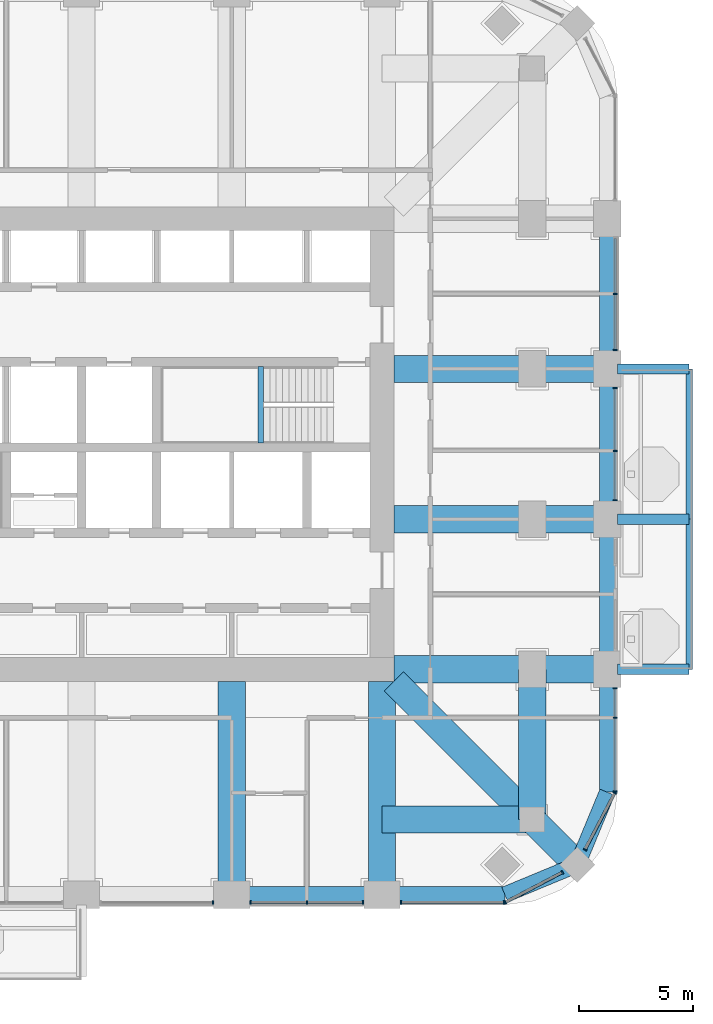
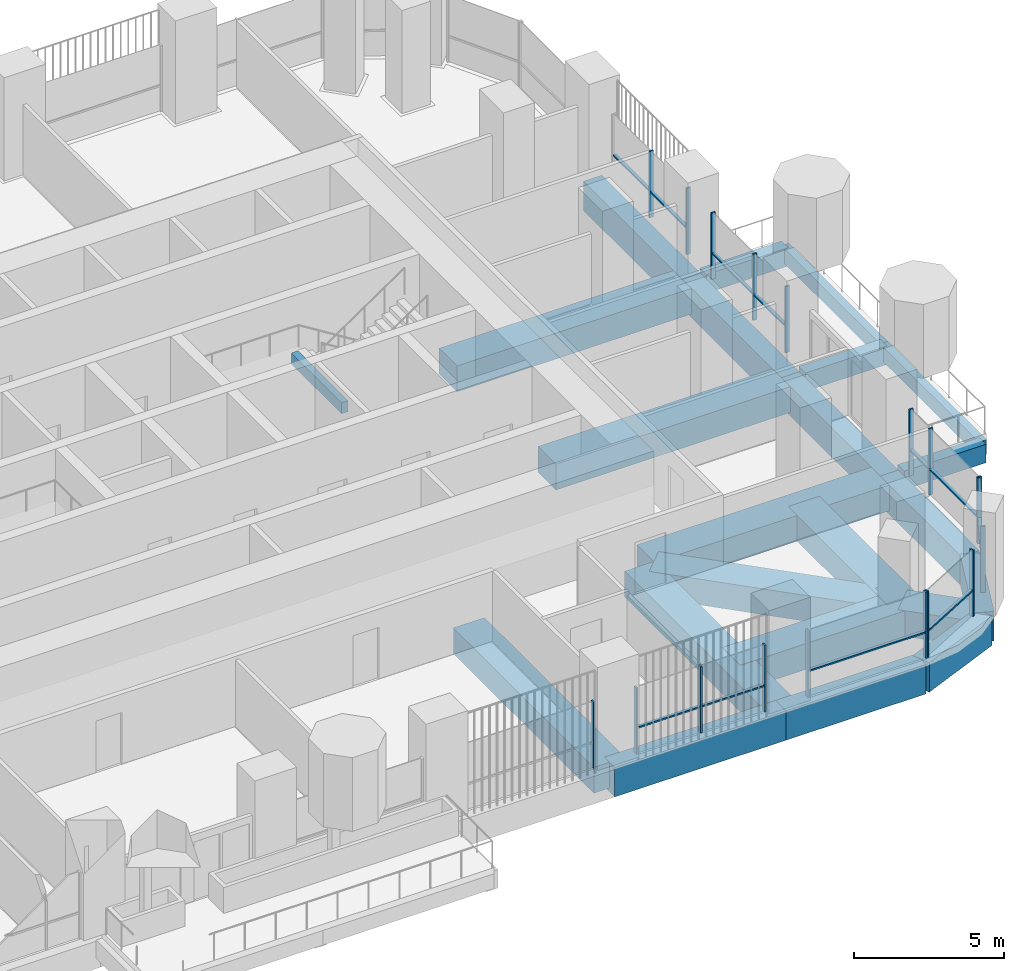
# One storey, part 5 of 20: 29 members, 23 beams, 8 elements without a shape of their own.
"""IFC4 building model written with IfcOpenShell, lengths in metres."""

from ifc_helpers import new_model, si_unit, direction, frame, origin, origin_2d, place, context, subcontext, project, spatial, rectangle, extrude, material, material_profile, profile_set, type_object, element, aggregate, save


model = new_model("IFC4")

# Units and contexts
model_context = context("Model", 3, precision=1e-05, world=origin(), true_north=direction((0.0, 1.0)))
body_context = subcontext(model_context, "Body", "Model", "MODEL_VIEW")
ifc_project = project(units=[si_unit("LENGTHUNIT", "METRE"), si_unit("AREAUNIT", "SQUARE_METRE"), si_unit("VOLUMEUNIT", "CUBIC_METRE"), si_unit("PLANEANGLEUNIT", "RADIAN"), si_unit("MASSUNIT", "GRAM", prefix="KILO")], contexts=[model_context])

# Site, building, storey
site_placement = place(None, origin())
site = spatial("IfcSite", under=ifc_project, at=site_placement, CompositionType="ELEMENT")
building_placement = place(site_placement, origin())
building = spatial("IfcBuilding", under=site, at=building_placement, Name="Cobogo Forest Laboratory Tower", CompositionType="ELEMENT")
storey_placement = place(building_placement, frame((0.0, 0.0, 176.699951171875)))
storey = spatial("IfcBuildingStorey", under=building, at=storey_placement, Name="L40", CompositionType="ELEMENT", Elevation=176.699951171875)

# Beams
ifc_material_1 = material(Name="Concrete HA-40 (C40/50)", Category="concrete")
ifc_material_profile_1 = material_profile(ifc_material_1, rectangle(XDim=0.449951171875, YDim=0.75, at=origin_2d()), Name="RC 450x750")
ifc_profile_set_1 = profile_set([ifc_material_profile_1], Name="Concrete HA-40 (C40/50)")
beam_type_1 = type_object("IfcBeamType", Name="Balcony cantilever beam 450x750", PredefinedType="BEAM", material=ifc_profile_set_1)
for number, where, z_axis, x_axis, name in (
    (1, (49.949951171875, 13.199951171875, -0.625), (1.0, 0.0, 0.0), (0.0, 1.0, 0.0), "CB1 BAL-E1-C1 L40"),
    (2, (49.949951171875, 19.800048828125, -0.625), (1.0, 0.0, 0.0), (0.0, 1.0, 0.0), "CB1 BAL-E1-C2 L40"),
    (3, (49.949951171875, 26.39990234375, -0.625), (1.0, 0.0, 0.0), (0.0, 1.0, 0.0), "CB1 BAL-E1-C3 L40"),
):
    element("IfcBeam", number, at=place(storey_placement, frame(where, z_axis=z_axis, x_axis=x_axis)), inside=storey, type_object=beam_type_1, Name=name, PredefinedType="BEAM", context=body_context, shape_type="SweptSolid", body=[
        extrude(rectangle(XDim=0.449951171875, YDim=0.75, at=origin_2d()), origin(), (0.0, 0.0, 1.0), 3.150146484375),
    ])
ifc_material_profile_2 = material_profile(ifc_material_1, rectangle(XDim=0.300048828125, YDim=0.60009765625, at=origin_2d()), Name="RC 300x600")
ifc_profile_set_2 = profile_set([ifc_material_profile_2], Name="Concrete HA-40 (C40/50)")
beam_type_2 = type_object("IfcBeamType", Name="Balcony edge beam 300x600", PredefinedType="BEAM", material=ifc_profile_set_2)
beam_1_placement = place(storey_placement, frame((53.10009765625, 13.199951171875, -0.550048828125), z_axis=(0.0, 1.0, 0.0), x_axis=(-1.0, 0.0, 0.0)))
element("IfcBeam", 4, at=beam_1_placement, inside=storey, type_object=beam_type_2, Name="BB1 BAL-E1-T1 L40", PredefinedType="BEAM", context=body_context, shape_type="SweptSolid", body=[
    extrude(rectangle(XDim=0.300048828125, YDim=0.60009765625, at=origin_2d()), origin(), (0.0, 0.0, 1.0), 6.60009765625),
])
beam_2_placement = place(storey_placement, frame((53.10009765625, 19.800048828125, -0.550048828125), z_axis=(0.0, 1.0, 0.0), x_axis=(-1.0, 0.0, 0.0)))
element("IfcBeam", 5, at=beam_2_placement, inside=storey, type_object=beam_type_2, Name="BB1 BAL-E1-T2 L40", PredefinedType="BEAM", context=body_context, shape_type="SweptSolid", body=[
    extrude(rectangle(XDim=0.300048828125, YDim=0.60009765625, at=origin_2d()), origin(), (0.0, 0.0, 1.0), 6.599853515625),
])
ifc_material_profile_3 = material_profile(ifc_material_1, rectangle(XDim=0.25, YDim=0.449951171875, at=origin_2d()), Name="RC 250x450")
ifc_profile_set_3 = profile_set([ifc_material_profile_3], Name="Concrete HA-40 (C40/50)")
beam_type_3 = type_object("IfcBeamType", Name="LB1 landing beam 250x450", PredefinedType="BEAM", material=ifc_profile_set_3)
beam_3_placement = place(storey_placement, frame((34.27001953125, 23.14990234375, 1.675048828125), z_axis=(0.0, 1.0, 0.0), x_axis=(-1.0, 0.0, 0.0)))
element("IfcBeam", 6, at=beam_3_placement, inside=storey, type_object=beam_type_3, Name="Landing beam ST2 L40", PredefinedType="BEAM", context=body_context, shape_type="SweptSolid", body=[
    extrude(rectangle(XDim=0.25, YDim=0.449951171875, at=origin_2d()), origin(), (0.0, 0.0, 1.0), 3.35009765625),
])
ifc_material_profile_4 = material_profile(ifc_material_1, rectangle(XDim=1.199951171875, YDim=1.050048828125, at=origin_2d()), Name="RC 1200x1050")
ifc_profile_set_4 = profile_set([ifc_material_profile_4], Name="Concrete HA-40 (C40/50)")
beam_type_4 = type_object("IfcBeamType", Name="Laboratory floor wide beam 1200x1050", PredefinedType="BEAM", material=ifc_profile_set_4)
for number, where, z_axis, x_axis, name in (
    (7, (33.0, 12.675048828125, -0.824951171875), (0.0, -1.0, 0.0), (1.0, 0.0, 0.0), "RB1 R-6-S L40"),
    (8, (39.60009765625, 12.675048828125, -0.824951171875), (0.0, -1.0, 0.0), (1.0, 0.0, 0.0), "RB1 R-7-S L40"),
    (9, (40.125, 13.199951171875, -0.824951171875), (1.0, 0.0, 0.0), (0.0, 1.0, 0.0), "RB1 R-C-E L40"),
    (10, (40.125, 19.800048828125, -0.824951171875), (1.0, 0.0, 0.0), (0.0, 1.0, 0.0), "RB1 R-D-E L40"),
    (11, (40.125, 26.39990234375, -0.824951171875), (1.0, 0.0, 0.0), (0.0, 1.0, 0.0), "RB1 R-E-E L40"),
):
    element("IfcBeam", number, at=place(storey_placement, frame(where, z_axis=z_axis, x_axis=x_axis)), inside=storey, type_object=beam_type_4, Name=name, PredefinedType="BEAM", context=body_context, shape_type="SweptSolid", body=[
        extrude(rectangle(XDim=1.199951171875, YDim=1.050048828125, at=origin_2d()), origin(), (0.0, 0.0, 1.0), 9.375),
    ])
for number, where, z_axis, x_axis, name in (
    (12, (46.199951171875, 6.60009765625, -0.824951171875), (0.0, 1.0, 0.0), (-1.0, 0.0, 0.0), "RB1 G-SE-XC L40"),
    (13, (46.199951171875, 6.60009765625, -0.824951171875), (-1.0, 0.0, 0.0), (0.0, -1.0, 0.0), "RB1 G-SE-YC L40"),
):
    element("IfcBeam", number, at=place(storey_placement, frame(where, z_axis=z_axis, x_axis=x_axis)), inside=storey, type_object=beam_type_4, Name=name, PredefinedType="BEAM", context=body_context, shape_type="SweptSolid", body=[
        extrude(rectangle(XDim=1.199951171875, YDim=1.050048828125, at=origin_2d()), origin(), (0.0, 0.0, 1.0), 6.599853515625),
    ])
beam_4_placement = place(storey_placement, frame((48.181884765625, 4.617919921875, -0.824951171875), z_axis=(-0.707063230743, 0.707150328948, 0.0), x_axis=(-0.707150328948, -0.707063230743, 0.0)))
element("IfcBeam", 14, at=beam_4_placement, inside=storey, type_object=beam_type_4, Name="RB1 G-SE-D1 L40", PredefinedType="BEAM", context=body_context, shape_type="SweptSolid", body=[
    extrude(rectangle(XDim=1.199951171875, YDim=1.050048828125, at=origin_2d()), origin(), (0.0, 0.0, 1.0), 2.802978515625),
])
beam_5_placement = place(storey_placement, frame((46.199951171875, 6.60009765625, -0.824951171875), z_axis=(-0.707106781187, 0.707106781187, 0.0), x_axis=(-0.707106781187, -0.707106781187, 0.0)))
element("IfcBeam", 15, at=beam_5_placement, inside=storey, type_object=beam_type_4, Name="RB1 G-SE-D2 L40", PredefinedType="BEAM", context=body_context, shape_type="SweptSolid", body=[
    extrude(rectangle(XDim=1.199951171875, YDim=1.050048828125, at=origin_2d()), origin(), (0.0, 0.0, 1.0), 8.59130859375),
])

# Curtain wall, member
ifc_material_2 = material(Name="Aluminium curtain wall", Category="aluminium")
curtain_wall_type = type_object("IfcCurtainWallType", Name="CW-2 unitised curtain wall, solar control glazing, laboratory floors zones C and D", PredefinedType="USERDEFINED", material=ifc_material_2)
curtain_wall_1_placement = place(storey_placement, origin())
curtain_wall_1 = element("IfcCurtainWall", 16, at=curtain_wall_1_placement, inside=storey, type_object=curtain_wall_type, Name="Curtain wall 04 L40", ObjectType="UNITISED CURTAIN WALL", PredefinedType="USERDEFINED")
ifc_material_3 = material(Name="Aluminium mullion", Category="aluminium")
ifc_material_profile_5 = material_profile(ifc_material_3, rectangle(XDim=0.06005859375, YDim=0.159912109375, at=origin_2d()), Name="AL 60x160")
ifc_profile_set_5 = profile_set([ifc_material_profile_5], Name="Aluminium mullion")
member_type_1 = type_object("IfcMemberType", Name="MU-1 aluminium mullion 60x160", PredefinedType="MULLION", material=ifc_profile_set_5)
member_1_placement = place(storey_placement, frame((32.169921875, 2.949951171875, 0.0), z_axis=(0.0, 0.0, 1.0), x_axis=(1.0, 0.0, 0.0)))
member_1 = element("IfcMember", 17, at=member_1_placement, type_object=member_type_1, Name="CW-2 mullion 2", PredefinedType="MULLION", context=body_context, shape_type="SweptSolid", body=[
    extrude(rectangle(XDim=0.06005859375, YDim=0.159912109375, at=origin_2d()), origin(), (0.0, 0.0, 1.0), 2.699951171875),
])
aggregate(curtain_wall_1, [member_1])

# Curtain wall, members
curtain_wall_2_placement = place(storey_placement, origin())
curtain_wall_2 = element("IfcCurtainWall", 18, at=curtain_wall_2_placement, inside=storey, type_object=curtain_wall_type, Name="Curtain wall 05 L40", ObjectType="UNITISED CURTAIN WALL", PredefinedType="USERDEFINED")
member_2_placement = place(storey_placement, frame((33.830078125, 2.949951171875, 0.0), z_axis=(0.0, 0.0, 1.0), x_axis=(1.0, 0.0, 0.0)))
member_2 = element("IfcMember", 19, at=member_2_placement, type_object=member_type_1, Name="CW-2 mullion 1", PredefinedType="MULLION", context=body_context, shape_type="SweptSolid", body=[
    extrude(rectangle(XDim=0.06005859375, YDim=0.159912109375, at=origin_2d()), origin(), (0.0, 0.0, 1.0), 2.699951171875),
])
member_3_placement = place(storey_placement, frame((36.300048828125, 2.949951171875, 0.0), z_axis=(0.0, 0.0, 1.0), x_axis=(1.0, 0.0, 0.0)))
member_3 = element("IfcMember", 20, at=member_3_placement, type_object=member_type_1, Name="CW-2 mullion 2", PredefinedType="MULLION", context=body_context, shape_type="SweptSolid", body=[
    extrude(rectangle(XDim=0.06005859375, YDim=0.159912109375, at=origin_2d()), origin(), (0.0, 0.0, 1.0), 2.699951171875),
])
member_4_placement = place(storey_placement, frame((38.77001953125, 2.949951171875, 0.0), z_axis=(0.0, 0.0, 1.0), x_axis=(1.0, 0.0, 0.0)))
member_4 = element("IfcMember", 21, at=member_4_placement, type_object=member_type_1, Name="CW-2 mullion 3", PredefinedType="MULLION", context=body_context, shape_type="SweptSolid", body=[
    extrude(rectangle(XDim=0.06005859375, YDim=0.159912109375, at=origin_2d()), origin(), (0.0, 0.0, 1.0), 2.699951171875),
])

curtain_wall_3_placement = place(storey_placement, origin())
curtain_wall_3 = element("IfcCurtainWall", 22, at=curtain_wall_3_placement, inside=storey, type_object=curtain_wall_type, Name="Curtain wall 06 L40", ObjectType="UNITISED CURTAIN WALL", PredefinedType="USERDEFINED")
member_5_placement = place(storey_placement, frame((40.429931640625, 2.949951171875, 0.0), z_axis=(0.0, 0.0, 1.0), x_axis=(1.0, 0.0, 0.0)))
member_5 = element("IfcMember", 23, at=member_5_placement, type_object=member_type_1, Name="CW-2 mullion 1", PredefinedType="MULLION", context=body_context, shape_type="SweptSolid", body=[
    extrude(rectangle(XDim=0.06005859375, YDim=0.159912109375, at=origin_2d()), origin(), (0.0, 0.0, 1.0), 2.699951171875),
])
member_6_placement = place(storey_placement, frame((44.969970703125, 2.949951171875, 0.0), z_axis=(0.0, 0.0, 1.0), x_axis=(1.0, 0.0, 0.0)))
member_6 = element("IfcMember", 24, at=member_6_placement, type_object=member_type_1, Name="CW-2 mullion 2", PredefinedType="MULLION", context=body_context, shape_type="SweptSolid", body=[
    extrude(rectangle(XDim=0.06005859375, YDim=0.159912109375, at=origin_2d()), origin(), (0.0, 0.0, 1.0), 2.699951171875),
])

curtain_wall_4_placement = place(storey_placement, origin())
curtain_wall_4 = element("IfcCurtainWall", 25, at=curtain_wall_4_placement, inside=storey, type_object=curtain_wall_type, Name="Curtain wall 07 L40", ObjectType="UNITISED CURTAIN WALL", PredefinedType="USERDEFINED")
member_7_placement = place(storey_placement, frame((45.026611328125, 2.9638671875, 0.0), z_axis=(0.0, 0.0, 1.0), x_axis=(0.885686484356, 0.464283804832, 0.0)))
member_7 = element("IfcMember", 26, at=member_7_placement, type_object=member_type_1, Name="CW-2 mullion 1", PredefinedType="MULLION", context=body_context, shape_type="SweptSolid", body=[
    extrude(rectangle(XDim=0.06005859375, YDim=0.159912109375, at=origin_2d()), origin(), (0.0, 0.0, 1.0), 2.699951171875),
])
member_8_placement = place(storey_placement, frame((47.5244140625, 4.2734375, 0.0), z_axis=(0.0, 0.0, 1.0), x_axis=(0.885686484356, 0.464283804832, 0.0)))
member_8 = element("IfcMember", 27, at=member_8_placement, type_object=member_type_1, Name="CW-2 mullion 2", PredefinedType="MULLION", context=body_context, shape_type="SweptSolid", body=[
    extrude(rectangle(XDim=0.06005859375, YDim=0.159912109375, at=origin_2d()), origin(), (0.0, 0.0, 1.0), 2.699951171875),
])

curtain_wall_5_placement = place(storey_placement, origin())
curtain_wall_5 = element("IfcCurtainWall", 28, at=curtain_wall_5_placement, inside=storey, type_object=curtain_wall_type, Name="Curtain wall 08 L40", ObjectType="UNITISED CURTAIN WALL", PredefinedType="USERDEFINED")
member_9_placement = place(storey_placement, frame((48.526611328125, 5.275634765625, 0.0), z_axis=(0.0, 0.0, 1.0), x_axis=(0.464283804832, 0.885686484356, 0.0)))
member_9 = element("IfcMember", 29, at=member_9_placement, type_object=member_type_1, Name="CW-2 mullion 1", PredefinedType="MULLION", context=body_context, shape_type="SweptSolid", body=[
    extrude(rectangle(XDim=0.06005859375, YDim=0.159912109375, at=origin_2d()), origin(), (0.0, 0.0, 1.0), 2.699951171875),
])
member_10_placement = place(storey_placement, frame((49.836181640625, 7.7734375, 0.0), z_axis=(0.0, 0.0, 1.0), x_axis=(0.464283804832, 0.885686484356, 0.0)))
member_10 = element("IfcMember", 30, at=member_10_placement, type_object=member_type_1, Name="CW-2 mullion 2", PredefinedType="MULLION", context=body_context, shape_type="SweptSolid", body=[
    extrude(rectangle(XDim=0.06005859375, YDim=0.159912109375, at=origin_2d()), origin(), (0.0, 0.0, 1.0), 2.699951171875),
])

curtain_wall_6_placement = place(storey_placement, origin())
curtain_wall_6 = element("IfcCurtainWall", 31, at=curtain_wall_6_placement, inside=storey, type_object=curtain_wall_type, Name="Curtain wall 09 L40", ObjectType="UNITISED CURTAIN WALL", PredefinedType="USERDEFINED")
member_11_placement = place(storey_placement, frame((49.85009765625, 7.830078125, 0.0), z_axis=(0.0, 0.0, 1.0), x_axis=(0.0, 1.0, 0.0)))
member_11 = element("IfcMember", 32, at=member_11_placement, type_object=member_type_1, Name="CW-2 mullion 1", PredefinedType="MULLION", context=body_context, shape_type="SweptSolid", body=[
    extrude(rectangle(XDim=0.06005859375, YDim=0.159912109375, at=origin_2d()), origin(), (0.0, 0.0, 1.0), 2.699951171875),
])
member_12_placement = place(storey_placement, frame((49.85009765625, 11.074951171875, 0.0), z_axis=(0.0, 0.0, 1.0), x_axis=(0.0, 1.0, 0.0)))
member_12 = element("IfcMember", 33, at=member_12_placement, type_object=member_type_1, Name="CW-2 mullion 2", PredefinedType="MULLION", context=body_context, shape_type="SweptSolid", body=[
    extrude(rectangle(XDim=0.06005859375, YDim=0.159912109375, at=origin_2d()), origin(), (0.0, 0.0, 1.0), 2.699951171875),
])
member_13_placement = place(storey_placement, frame((49.85009765625, 12.3701171875, 0.0), z_axis=(0.0, 0.0, 1.0), x_axis=(0.0, 1.0, 0.0)))
member_13 = element("IfcMember", 34, at=member_13_placement, type_object=member_type_1, Name="CW-2 mullion 3", PredefinedType="MULLION", context=body_context, shape_type="SweptSolid", body=[
    extrude(rectangle(XDim=0.06005859375, YDim=0.159912109375, at=origin_2d()), origin(), (0.0, 0.0, 1.0), 2.699951171875),
])

curtain_wall_7_placement = place(storey_placement, origin())
curtain_wall_7 = element("IfcCurtainWall", 35, at=curtain_wall_7_placement, inside=storey, type_object=curtain_wall_type, Name="Curtain wall 11 L40", ObjectType="UNITISED CURTAIN WALL", PredefinedType="USERDEFINED")
member_14_placement = place(storey_placement, frame((49.85009765625, 20.6298828125, 0.0), z_axis=(0.0, 0.0, 1.0), x_axis=(0.0, 1.0, 0.0)))
member_14 = element("IfcMember", 36, at=member_14_placement, type_object=member_type_1, Name="CW-2 mullion 1", PredefinedType="MULLION", context=body_context, shape_type="SweptSolid", body=[
    extrude(rectangle(XDim=0.06005859375, YDim=0.159912109375, at=origin_2d()), origin(), (0.0, 0.0, 1.0), 2.699951171875),
])
member_15_placement = place(storey_placement, frame((49.85009765625, 22.800048828125, 0.0), z_axis=(0.0, 0.0, 1.0), x_axis=(0.0, 1.0, 0.0)))
member_15 = element("IfcMember", 37, at=member_15_placement, type_object=member_type_1, Name="CW-2 mullion 2", PredefinedType="MULLION", context=body_context, shape_type="SweptSolid", body=[
    extrude(rectangle(XDim=0.06005859375, YDim=0.159912109375, at=origin_2d()), origin(), (0.0, 0.0, 1.0), 2.699951171875),
])
member_16_placement = place(storey_placement, frame((49.85009765625, 25.570068359375, 0.0), z_axis=(0.0, 0.0, 1.0), x_axis=(0.0, 1.0, 0.0)))
member_16 = element("IfcMember", 38, at=member_16_placement, type_object=member_type_1, Name="CW-2 mullion 3", PredefinedType="MULLION", context=body_context, shape_type="SweptSolid", body=[
    extrude(rectangle(XDim=0.06005859375, YDim=0.159912109375, at=origin_2d()), origin(), (0.0, 0.0, 1.0), 2.699951171875),
])

curtain_wall_8_placement = place(storey_placement, origin())
curtain_wall_8 = element("IfcCurtainWall", 39, at=curtain_wall_8_placement, inside=storey, type_object=curtain_wall_type, Name="Curtain wall 12 L40", ObjectType="UNITISED CURTAIN WALL", PredefinedType="USERDEFINED")
member_17_placement = place(storey_placement, frame((49.85009765625, 27.22998046875, 0.0), z_axis=(0.0, 0.0, 1.0), x_axis=(0.0, 1.0, 0.0)))
member_17 = element("IfcMember", 40, at=member_17_placement, type_object=member_type_1, Name="CW-2 mullion 1", PredefinedType="MULLION", context=body_context, shape_type="SweptSolid", body=[
    extrude(rectangle(XDim=0.06005859375, YDim=0.159912109375, at=origin_2d()), origin(), (0.0, 0.0, 1.0), 2.699951171875),
])
member_18_placement = place(storey_placement, frame((49.85009765625, 29.699951171875, 0.0), z_axis=(0.0, 0.0, 1.0), x_axis=(0.0, 1.0, 0.0)))
member_18 = element("IfcMember", 41, at=member_18_placement, type_object=member_type_1, Name="CW-2 mullion 2", PredefinedType="MULLION", context=body_context, shape_type="SweptSolid", body=[
    extrude(rectangle(XDim=0.06005859375, YDim=0.159912109375, at=origin_2d()), origin(), (0.0, 0.0, 1.0), 2.699951171875),
])

# Beams
ifc_material_profile_6 = material_profile(ifc_material_1, rectangle(XDim=0.699951171875, YDim=1.199951171875, at=origin_2d()), Name="RC 700x1200")
ifc_profile_set_6 = profile_set([ifc_material_profile_6], Name="Concrete HA-40 (C40/50)")
beam_type_5 = type_object("IfcBeamType", Name="Perimeter edge beam 700x1200", PredefinedType="BEAM", material=ifc_profile_set_6)
for number, where, z_axis, x_axis, name in (
    (42, (33.0, 3.300048828125, -0.89990234375), (1.0, 0.0, 0.0), (0.0, 1.0, 0.0), "EB1 E-S4 L40"),
    (43, (49.5, 13.199951171875, -0.89990234375), (0.0, 1.0, 0.0), (-1.0, 0.0, 0.0), "EB1 E-E1 L40"),
):
    element("IfcBeam", number, at=place(storey_placement, frame(where, z_axis=z_axis, x_axis=x_axis)), inside=storey, type_object=beam_type_5, Name=name, PredefinedType="BEAM", context=body_context, shape_type="SweptSolid", body=[
        extrude(rectangle(XDim=0.699951171875, YDim=1.199951171875, at=origin_2d()), origin(), (0.0, 0.0, 1.0), 6.60009765625),
    ])
beam_6_placement = place(storey_placement, frame((49.5, 19.800048828125, -0.89990234375), z_axis=(0.0, 1.0, 0.0), x_axis=(-1.0, 0.0, 0.0)))
element("IfcBeam", 44, at=beam_6_placement, inside=storey, type_object=beam_type_5, Name="EB1 E-E2 L40", PredefinedType="BEAM", context=body_context, shape_type="SweptSolid", body=[
    extrude(rectangle(XDim=0.699951171875, YDim=1.199951171875, at=origin_2d()), origin(), (0.0, 0.0, 1.0), 6.599853515625),
])
beam_7_placement = place(storey_placement, frame((49.5, 26.39990234375, -0.89990234375), z_axis=(0.0, 1.0, 0.0), x_axis=(-1.0, 0.0, 0.0)))
element("IfcBeam", 45, at=beam_7_placement, inside=storey, type_object=beam_type_5, Name="EB1 E-E3 L40", PredefinedType="BEAM", context=body_context, shape_type="SweptSolid", body=[
    extrude(rectangle(XDim=0.699951171875, YDim=1.199951171875, at=origin_2d()), origin(), (0.0, 0.0, 1.0), 6.60009765625),
])
beam_8_placement = place(storey_placement, frame((39.60009765625, 3.300048828125, -0.89990234375), z_axis=(1.0, 0.0, 0.0), x_axis=(0.0, 1.0, 0.0)))
element("IfcBeam", 46, at=beam_8_placement, inside=storey, type_object=beam_type_5, Name="EB1 E-SES1 L40", PredefinedType="BEAM", context=body_context, shape_type="SweptSolid", body=[
    extrude(rectangle(XDim=0.699951171875, YDim=1.199951171875, at=origin_2d()), origin(), (0.0, 0.0, 1.0), 5.39990234375),
])
beam_9_placement = place(storey_placement, frame((45.0, 3.300048828125, -0.89990234375), z_axis=(0.923890694089, 0.382656484822, 0.0), x_axis=(-0.382656484822, 0.923890694089, 0.0)))
element("IfcBeam", 47, at=beam_9_placement, inside=storey, type_object=beam_type_5, Name="EB1 E-SES2 L40", PredefinedType="BEAM", context=body_context, shape_type="SweptSolid", body=[
    extrude(rectangle(XDim=0.699951171875, YDim=1.199951171875, at=origin_2d()), origin(), (0.0, 0.0, 1.0), 3.444091796875),
])
beam_10_placement = place(storey_placement, frame((49.5, 13.199951171875, -0.89990234375), z_axis=(0.0, -1.0, 0.0), x_axis=(1.0, 0.0, 0.0)))
element("IfcBeam", 48, at=beam_10_placement, inside=storey, type_object=beam_type_5, Name="EB1 E-SEE1 L40", PredefinedType="BEAM", context=body_context, shape_type="SweptSolid", body=[
    extrude(rectangle(XDim=0.699951171875, YDim=1.199951171875, at=origin_2d()), origin(), (0.0, 0.0, 1.0), 5.39990234375),
])
beam_11_placement = place(storey_placement, frame((49.5, 7.800048828125, -0.89990234375), z_axis=(-0.382691928466, -0.923876013265, 0.0), x_axis=(0.923876013265, -0.382691928466, 0.0)))
element("IfcBeam", 49, at=beam_11_placement, inside=storey, type_object=beam_type_5, Name="EB1 E-SEE2 L40", PredefinedType="BEAM", context=body_context, shape_type="SweptSolid", body=[
    extrude(rectangle(XDim=0.699951171875, YDim=1.199951171875, at=origin_2d()), origin(), (0.0, 0.0, 1.0), 3.4443359375),
])

# Member
ifc_material_4 = material(Name="Aluminium transom", Category="aluminium")
ifc_material_profile_7 = material_profile(ifc_material_4, rectangle(XDim=0.1201171875, YDim=0.06005859375, at=origin_2d()), Name="AL 60x120")
ifc_profile_set_7 = profile_set([ifc_material_profile_7], Name="Aluminium transom")
member_type_2 = type_object("IfcMemberType", Name="TR-1 aluminium transom 60x120", PredefinedType="USERDEFINED", material=ifc_profile_set_7)
member_19_placement = place(storey_placement, frame((33.860107421875, 2.949951171875, 1.050048828125), z_axis=(1.0, 0.0, 0.0), x_axis=(0.0, 1.0, 0.0)))
member_19 = element("IfcMember", 50, at=member_19_placement, type_object=member_type_2, Name="CW-2 transom 1.1", ObjectType="TRANSOM", PredefinedType="USERDEFINED", context=body_context, shape_type="SweptSolid", body=[
    extrude(rectangle(XDim=0.1201171875, YDim=0.06005859375, at=origin_2d()), origin(), (0.0, 0.0, 1.0), 2.409912109375),
])

member_20_placement = place(storey_placement, frame((36.330078125, 2.949951171875, 1.050048828125), z_axis=(1.0, 0.0, 0.0), x_axis=(0.0, 1.0, 0.0)))
member_20 = element("IfcMember", 51, at=member_20_placement, type_object=member_type_2, Name="CW-2 transom 2.1", ObjectType="TRANSOM", PredefinedType="USERDEFINED", context=body_context, shape_type="SweptSolid", body=[
    extrude(rectangle(XDim=0.1201171875, YDim=0.06005859375, at=origin_2d()), origin(), (0.0, 0.0, 1.0), 2.409912109375),
])

aggregate(curtain_wall_2, [member_2, member_3, member_4, member_19, member_20])

member_21_placement = place(storey_placement, frame((40.4599609375, 2.949951171875, 1.050048828125), z_axis=(1.0, 0.0, 0.0), x_axis=(0.0, 1.0, 0.0)))
member_21 = element("IfcMember", 52, at=member_21_placement, type_object=member_type_2, Name="CW-2 transom 1.1", ObjectType="TRANSOM", PredefinedType="USERDEFINED", context=body_context, shape_type="SweptSolid", body=[
    extrude(rectangle(XDim=0.1201171875, YDim=0.06005859375, at=origin_2d()), origin(), (0.0, 0.0, 1.0), 4.47998046875),
])

aggregate(curtain_wall_3, [member_5, member_6, member_21])

member_22_placement = place(storey_placement, frame((45.05322265625, 2.977783203125, 1.050048828125), z_axis=(0.885646224078, 0.464360598863, 0.0), x_axis=(-0.464360598863, 0.885646224078, 0.0)))
member_22 = element("IfcMember", 53, at=member_22_placement, type_object=member_type_2, Name="CW-2 transom 1.1", ObjectType="TRANSOM", PredefinedType="USERDEFINED", context=body_context, shape_type="SweptSolid", body=[
    extrude(rectangle(XDim=0.1201171875, YDim=0.06005859375, at=origin_2d()), origin(), (0.0, 0.0, 1.0), 2.76025390625),
])

aggregate(curtain_wall_4, [member_7, member_8, member_22])

member_23_placement = place(storey_placement, frame((48.54052734375, 5.302001953125, 1.050048828125), z_axis=(0.464254846591, 0.88570166389, 0.0), x_axis=(-0.88570166389, 0.464254846591, 0.0)))
member_23 = element("IfcMember", 54, at=member_23_placement, type_object=member_type_2, Name="CW-2 transom 1.1", ObjectType="TRANSOM", PredefinedType="USERDEFINED", context=body_context, shape_type="SweptSolid", body=[
    extrude(rectangle(XDim=0.1201171875, YDim=0.06005859375, at=origin_2d()), origin(), (0.0, 0.0, 1.0), 2.76025390625),
])

aggregate(curtain_wall_5, [member_9, member_10, member_23])

member_24_placement = place(storey_placement, frame((49.85009765625, 7.860107421875, 1.050048828125), z_axis=(0.0, 1.0, 0.0), x_axis=(-1.0, 0.0, 0.0)))
member_24 = element("IfcMember", 55, at=member_24_placement, type_object=member_type_2, Name="CW-2 transom 1.1", ObjectType="TRANSOM", PredefinedType="USERDEFINED", context=body_context, shape_type="SweptSolid", body=[
    extrude(rectangle(XDim=0.1201171875, YDim=0.06005859375, at=origin_2d()), origin(), (0.0, 0.0, 1.0), 3.184814453125),
])

member_25_placement = place(storey_placement, frame((49.85009765625, 11.10498046875, 1.050048828125), z_axis=(0.0, 1.0, 0.0), x_axis=(-1.0, 0.0, 0.0)))
member_25 = element("IfcMember", 56, at=member_25_placement, type_object=member_type_2, Name="CW-2 transom 2.1", ObjectType="TRANSOM", PredefinedType="USERDEFINED", context=body_context, shape_type="SweptSolid", body=[
    extrude(rectangle(XDim=0.1201171875, YDim=0.06005859375, at=origin_2d()), origin(), (0.0, 0.0, 1.0), 1.235107421875),
])

aggregate(curtain_wall_6, [member_11, member_12, member_13, member_24, member_25])

member_26_placement = place(storey_placement, frame((49.85009765625, 20.659912109375, 1.050048828125), z_axis=(0.0, 1.0, 0.0), x_axis=(-1.0, 0.0, 0.0)))
member_26 = element("IfcMember", 57, at=member_26_placement, type_object=member_type_2, Name="CW-2 transom 1.1", ObjectType="TRANSOM", PredefinedType="USERDEFINED", context=body_context, shape_type="SweptSolid", body=[
    extrude(rectangle(XDim=0.1201171875, YDim=0.06005859375, at=origin_2d()), origin(), (0.0, 0.0, 1.0), 2.110107421875),
])

member_27_placement = place(storey_placement, frame((49.85009765625, 22.830078125, 1.050048828125), z_axis=(0.0, 1.0, 0.0), x_axis=(-1.0, 0.0, 0.0)))
member_27 = element("IfcMember", 58, at=member_27_placement, type_object=member_type_2, Name="CW-2 transom 2.1", ObjectType="TRANSOM", PredefinedType="USERDEFINED", context=body_context, shape_type="SweptSolid", body=[
    extrude(rectangle(XDim=0.1201171875, YDim=0.06005859375, at=origin_2d()), origin(), (0.0, 0.0, 1.0), 2.7099609375),
])

aggregate(curtain_wall_7, [member_14, member_15, member_16, member_26, member_27])

member_28_placement = place(storey_placement, frame((49.85009765625, 27.260009765625, 1.050048828125), z_axis=(0.0, 1.0, 0.0), x_axis=(-1.0, 0.0, 0.0)))
member_28 = element("IfcMember", 59, at=member_28_placement, type_object=member_type_2, Name="CW-2 transom 1.1", ObjectType="TRANSOM", PredefinedType="USERDEFINED", context=body_context, shape_type="SweptSolid", body=[
    extrude(rectangle(XDim=0.1201171875, YDim=0.06005859375, at=origin_2d()), origin(), (0.0, 0.0, 1.0), 2.409912109375),
])

member_29_placement = place(storey_placement, frame((49.85009765625, 29.72998046875, 1.050048828125), z_axis=(0.0, 1.0, 0.0), x_axis=(-1.0, 0.0, 0.0)))
member_29 = element("IfcMember", 60, at=member_29_placement, type_object=member_type_2, Name="CW-2 transom 2.1", ObjectType="TRANSOM", PredefinedType="USERDEFINED", context=body_context, shape_type="SweptSolid", body=[
    extrude(rectangle(XDim=0.1201171875, YDim=0.06005859375, at=origin_2d()), origin(), (0.0, 0.0, 1.0), 2.409912109375),
])

aggregate(curtain_wall_8, [member_17, member_18, member_28, member_29])

save(model, "model.ifc")
